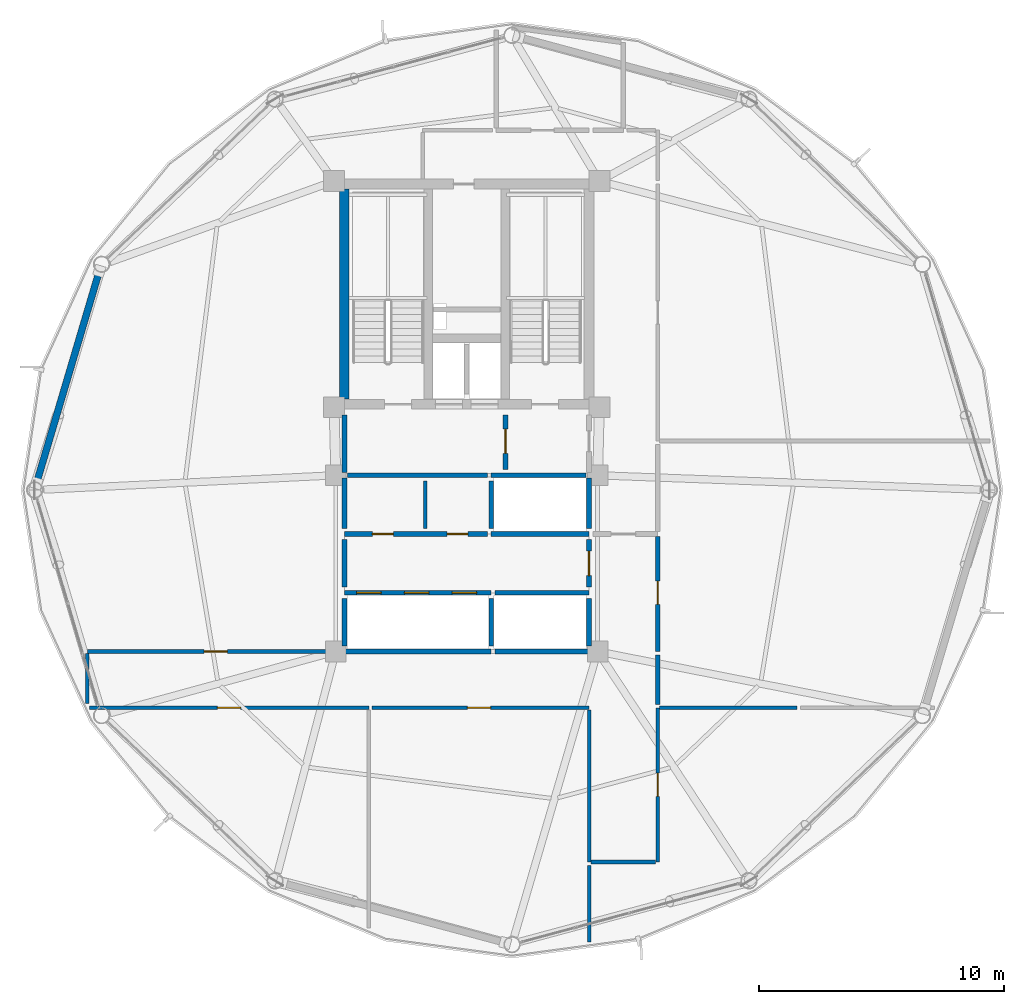
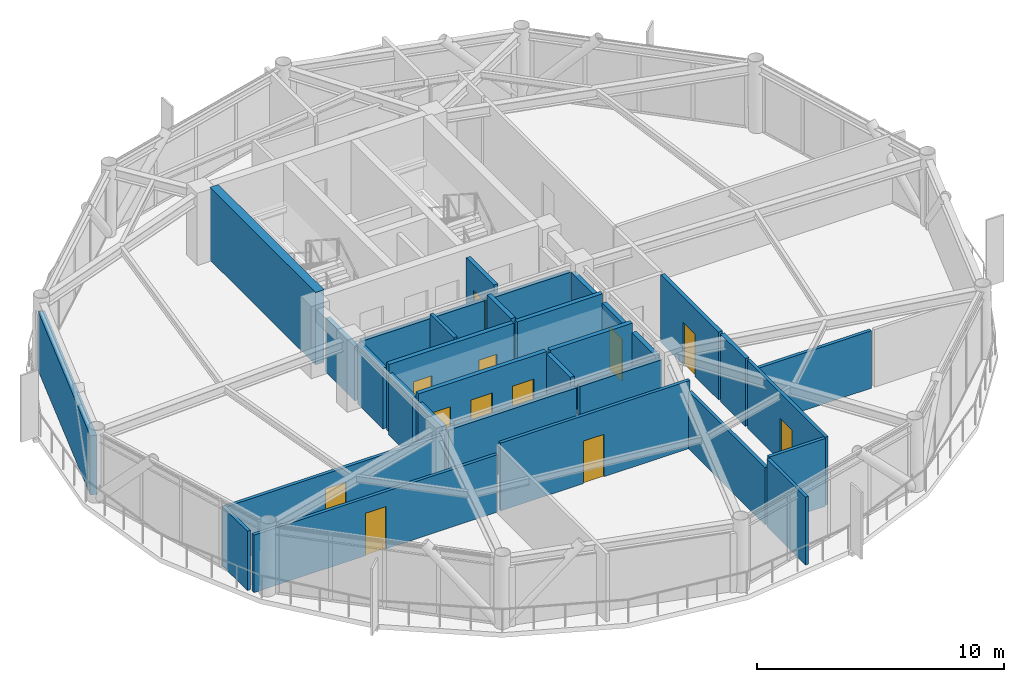
# One storey, part 23 of 28: 32 walls, 12 doors, 12 openings.
"""IFC4 building model written with IfcOpenShell, lengths in metres."""

from ifc_helpers import new_model, si_unit, direction, frame, frame_2d, origin, place, context, subcontext, project, spatial, rectangle, extrude, material, layer, layer_set, type_object, element, fill, save


model = new_model("IFC4")

# Units and contexts
model_context = context("Model", 3, precision=1e-05, world=origin(), true_north=direction((0.0, 1.0)))
body_context = subcontext(model_context, "Body", "Model", "MODEL_VIEW")
ifc_project = project(units=[si_unit("LENGTHUNIT", "METRE"), si_unit("AREAUNIT", "SQUARE_METRE"), si_unit("VOLUMEUNIT", "CUBIC_METRE"), si_unit("PLANEANGLEUNIT", "RADIAN"), si_unit("MASSUNIT", "GRAM", prefix="KILO")], contexts=[model_context])

# Site, building, storey
site_placement = place(None, origin())
site = spatial("IfcSite", under=ifc_project, at=site_placement, CompositionType="ELEMENT")
building_placement = place(site_placement, origin())
building = spatial("IfcBuilding", under=site, at=building_placement, Name="Varnakorn Sky Granary", CompositionType="ELEMENT")
storey_placement = place(building_placement, frame((0.0, 0.0, 193.199951171875)))
storey = spatial("IfcBuildingStorey", under=building, at=storey_placement, Name="L48", CompositionType="ELEMENT", Elevation=193.199951171875)

# Walls
ifc_material_1 = material(Name="Concrete C50/60", Category="concrete")
ifc_layer_1 = layer(ifc_material_1, 0.39990234375, Name="Concrete C50/60")
ifc_layer_set_1 = layer_set([ifc_layer_1], Name="Concrete C50/60")
wall_type_1 = type_object("IfcWallType", Name="WT-CW-SHEAR-400", PredefinedType="SHEAR", material=ifc_layer_set_1)
wall_1_placement = place(storey_placement, frame((-2.0, 3.7099609375, 0.0), z_axis=(0.0, 0.0, 1.0), x_axis=(0.0, 1.0, 0.0)))
element("IfcWall", 1, at=wall_1_placement, inside=storey, type_object=wall_type_1, Name="Core West Shear Wall L48", PredefinedType="SHEAR", context=body_context, shape_type="SweptSolid", body=[
    extrude(rectangle(XDim=8.580078125, YDim=0.39990234375, at=frame_2d((4.2900390625, 0.0))), origin(), (0.0, 0.0, 1.0), 3.592041015625),
])
ifc_material_2 = material(Name="Precast concrete C40/50", Category="concrete")
ifc_layer_2 = layer(ifc_material_2, 0.280029296875, Name="Precast concrete C40/50")
ifc_layer_set_2 = layer_set([ifc_layer_2], Name="Precast concrete C40/50")
wall_type_2 = type_object("IfcWallType", Name="WT-EW-CRN-280", PredefinedType="SOLIDWALL", material=ifc_layer_set_2)
wall_2_placement = place(storey_placement, frame((-14.580078125, 0.273193359375, 0.0), z_axis=(0.0, 0.0, 1.0), x_axis=(0.283912868439, 0.958850083764, 0.0)))
element("IfcWall", 2, at=wall_2_placement, inside=storey, type_object=wall_type_2, Name="Agritech Insulated Precast Facade Wall L48-P06", PredefinedType="SOLIDWALL", context=body_context, shape_type="SweptSolid", body=[
    extrude(rectangle(XDim=9.048828125, YDim=0.280029296875, at=frame_2d((4.5244140625, 0.0))), origin(), (0.0, 0.0, 1.0), 2.929931640625),
])

# Wall, opening, door
ifc_material_3 = material(Name="Autoclaved Aerated Concrete Blockwork", Category="masonry")
ifc_layer_3 = layer(ifc_material_3, 0.199951171875, Name="Autoclaved Aerated Concrete Blockwork")
ifc_layer_set_3 = layer_set([ifc_layer_3], Name="Autoclaved Aerated Concrete Blockwork")
wall_type_3 = type_object("IfcWallType", Name="WT-FIRE-200", PredefinedType="MOVABLE", material=ifc_layer_set_3)
wall_3_placement = place(storey_placement, frame((4.580078125, 0.830078125, 0.0), z_axis=(0.0, 0.0, 1.0), x_axis=(0.0, 1.0, 0.0)))
wall_3 = element("IfcWall", 3, at=wall_3_placement, inside=storey, type_object=wall_type_3, Name="Interior Partition Wall L48-014", PredefinedType="MOVABLE", context=body_context, shape_type="SweptSolid", body=[
    extrude(rectangle(XDim=2.239990234375, YDim=0.199951171875, at=frame_2d((1.1201171875, 0.0))), origin(), (0.0, 0.0, 1.0), 3.360107421875),
])
opening_1_placement = place(wall_3_placement, frame((0.659912109375, 0.0, 0.0)))
opening_1 = element("IfcOpeningElement", 4, at=opening_1_placement, cuts=wall_3, Name="Opening FD-60", PredefinedType="OPENING", context=body_context, shape_type="SweptSolid", body=[
    extrude(rectangle(XDim=1.0, YDim=2.10009765625, at=frame_2d((0.5, 1.050048828125))), frame((0.0, 0.10986328125, 0.0), z_axis=(0.0, -1.0, 0.0), x_axis=(1.0, 0.0, 0.0)), (0.0, 0.0, 1.0), 0.219970703125),
])
ifc_material_4 = material(Name="Acoustic Timber Fire Leaf", Category="wood")
door_type_1 = type_object("IfcDoorType", Name="DR-FD60-1000", OperationType="NOTDEFINED", PredefinedType="DOOR", material=ifc_material_4)
door_1_placement = place(opening_1_placement, origin())
door_1 = element("IfcDoor", 5, at=door_1_placement, inside=storey, type_object=door_type_1, Name="Interior Door L48-014-1", OperationType="SINGLE_SWING_LEFT", OverallHeight=2.10009765625, OverallWidth=1.0, PredefinedType="DOOR", context=body_context, shape_type="SweptSolid", body=[
    extrude(rectangle(XDim=1.0, YDim=2.10009765625, at=frame_2d((0.5, 1.050048828125))), frame((0.0, 0.02490234375, 0.0), z_axis=(0.0, -1.0, 0.0), x_axis=(1.0, 0.0, 0.0)), (0.0, 0.0, 1.0), 0.050048828125),
])
fill(opening_1, door_1)

wall_4_placement = place(storey_placement, frame((8.0, -3.969970703125, 0.0), z_axis=(0.0, 0.0, 1.0), x_axis=(0.0, 1.0, 0.0)))
wall_4 = element("IfcWall", 6, at=wall_4_placement, inside=storey, type_object=wall_type_3, Name="Interior Partition Wall L48-016", PredefinedType="MOVABLE", context=body_context, shape_type="SweptSolid", body=[
    extrude(rectangle(XDim=1.93994140625, YDim=0.199951171875, at=frame_2d((0.969970703125, 0.0))), origin(), (0.0, 0.0, 1.0), 3.011962890625),
])
opening_2_placement = place(wall_4_placement, frame((0.469970703125, 0.0, 0.0)))
opening_2 = element("IfcOpeningElement", 7, at=opening_2_placement, cuts=wall_4, Name="Opening FD-60", PredefinedType="OPENING", context=body_context, shape_type="SweptSolid", body=[
    extrude(rectangle(XDim=1.0, YDim=2.10009765625, at=frame_2d((0.5, 1.050048828125))), frame((0.0, 0.10986328125, 0.0), z_axis=(0.0, -1.0, 0.0), x_axis=(1.0, 0.0, 0.0)), (0.0, 0.0, 1.0), 0.219970703125),
])
door_2_placement = place(opening_2_placement, origin())
door_2 = element("IfcDoor", 8, at=door_2_placement, inside=storey, type_object=door_type_1, Name="Interior Door L48-016-1", OperationType="SINGLE_SWING_LEFT", OverallHeight=2.10009765625, OverallWidth=1.0, PredefinedType="DOOR", context=body_context, shape_type="SweptSolid", body=[
    extrude(rectangle(XDim=1.0, YDim=2.10009765625, at=frame_2d((0.5, 1.050048828125))), frame((0.0, 0.02490234375, 0.0), z_axis=(0.0, -1.0, 0.0), x_axis=(1.0, 0.0, 0.0)), (0.0, 0.0, 1.0), 0.050048828125),
])
fill(opening_2, door_2)

# Wall, openings, doors
wall_5_placement = place(storey_placement, frame((-2.0, -1.800048828125, 0.0), z_axis=(0.0, 0.0, 1.0), x_axis=(1.0, 0.0, 0.0)))
wall_5 = element("IfcWall", 9, at=wall_5_placement, inside=storey, type_object=wall_type_3, Name="Interior Partition Wall L48-017", PredefinedType="MOVABLE", context=body_context, shape_type="SweptSolid", body=[
    extrude(rectangle(XDim=5.840087890625, YDim=0.199951171875, at=frame_2d((2.919921875, 0.0))), origin(), (0.0, 0.0, 1.0), 3.360107421875),
])
opening_3_placement = place(wall_5_placement, frame((1.14990234375, 0.0, 0.0)))
opening_3 = element("IfcOpeningElement", 10, at=opening_3_placement, cuts=wall_5, Name="Opening FD-60N", PredefinedType="OPENING", context=body_context, shape_type="SweptSolid", body=[
    extrude(rectangle(XDim=0.85009765625, YDim=2.10009765625, at=frame_2d((0.425048828125, 1.050048828125))), frame((0.0, 0.10986328125, 0.0), z_axis=(0.0, -1.0, 0.0), x_axis=(1.0, 0.0, 0.0)), (0.0, 0.0, 1.0), 0.219970703125),
])
opening_4_placement = place(wall_5_placement, frame((4.199951171875, 0.0, 0.0)))
opening_4 = element("IfcOpeningElement", 11, at=opening_4_placement, cuts=wall_5, Name="Opening FD-60N", PredefinedType="OPENING", context=body_context, shape_type="SweptSolid", body=[
    extrude(rectangle(XDim=0.85009765625, YDim=2.10009765625, at=frame_2d((0.425048828125, 1.050048828125))), frame((0.0, 0.10986328125, 0.0), z_axis=(0.0, -1.0, 0.0), x_axis=(1.0, 0.0, 0.0)), (0.0, 0.0, 1.0), 0.219970703125),
])
door_type_2 = type_object("IfcDoorType", Name="DR-FD60-850", OperationType="NOTDEFINED", PredefinedType="DOOR", material=ifc_material_4)
door_3_placement = place(opening_3_placement, origin())
door_3 = element("IfcDoor", 12, at=door_3_placement, inside=storey, type_object=door_type_2, Name="Interior Door L48-017-1", OperationType="SINGLE_SWING_RIGHT", OverallHeight=2.10009765625, OverallWidth=0.85009765625, PredefinedType="DOOR", context=body_context, shape_type="SweptSolid", body=[
    extrude(rectangle(XDim=0.85009765625, YDim=2.10009765625, at=frame_2d((0.425048828125, 1.050048828125))), frame((0.0, 0.02490234375, 0.0), z_axis=(0.0, -1.0, 0.0), x_axis=(1.0, 0.0, 0.0)), (0.0, 0.0, 1.0), 0.050048828125),
])
fill(opening_3, door_3)
door_4_placement = place(opening_4_placement, origin())
door_4 = element("IfcDoor", 13, at=door_4_placement, inside=storey, type_object=door_type_2, Name="Interior Door L48-017-2", OperationType="SINGLE_SWING_LEFT", OverallHeight=2.10009765625, OverallWidth=0.85009765625, PredefinedType="DOOR", context=body_context, shape_type="SweptSolid", body=[
    extrude(rectangle(XDim=0.85009765625, YDim=2.10009765625, at=frame_2d((0.425048828125, 1.050048828125))), frame((0.0, 0.02490234375, 0.0), z_axis=(0.0, -1.0, 0.0), x_axis=(1.0, 0.0, 0.0)), (0.0, 0.0, 1.0), 0.050048828125),
])
fill(opening_4, door_4)

# Walls
wall_6_placement = place(storey_placement, frame((-1.8798828125, 0.60009765625, 0.0), z_axis=(0.0, 0.0, 1.0), x_axis=(1.0, 0.0, 0.0)))
element("IfcWall", 14, at=wall_6_placement, inside=storey, type_object=wall_type_3, Name="Interior Partition Wall L48-026", PredefinedType="MOVABLE", context=body_context, shape_type="SweptSolid", body=[
    extrude(rectangle(XDim=5.719970703125, YDim=0.199951171875, at=frame_2d((2.85986328125, 0.0))), origin(), (0.0, 0.0, 1.0), 3.011962890625),
])
wall_7_placement = place(storey_placement, frame((-2.0, 0.719970703125, 0.0), z_axis=(0.0, 0.0, 1.0), x_axis=(0.0, 1.0, 0.0)))
element("IfcWall", 15, at=wall_7_placement, inside=storey, type_object=wall_type_3, Name="Interior Partition Wall L48-027", PredefinedType="MOVABLE", context=body_context, shape_type="SweptSolid", body=[
    extrude(rectangle(XDim=2.35009765625, YDim=0.199951171875, at=frame_2d((1.175048828125, 0.0))), origin(), (0.0, 0.0, 1.0), 2.692138671875),
])
wall_8_placement = place(storey_placement, frame((-2.0, -3.969970703125, 0.0), z_axis=(0.0, 0.0, 1.0), x_axis=(0.0, 1.0, 0.0)))
element("IfcWall", 16, at=wall_8_placement, inside=storey, type_object=wall_type_3, Name="Interior Partition Wall L48-028", PredefinedType="MOVABLE", context=body_context, shape_type="SweptSolid", body=[
    extrude(rectangle(XDim=1.93994140625, YDim=0.199951171875, at=frame_2d((0.969970703125, 0.0))), origin(), (0.0, 0.0, 1.0), 3.011962890625),
])
wall_9_placement = place(storey_placement, frame((-2.0, -1.570068359375, 0.0), z_axis=(0.0, 0.0, 1.0), x_axis=(0.0, 1.0, 0.0)))
element("IfcWall", 17, at=wall_9_placement, inside=storey, type_object=wall_type_3, Name="Interior Partition Wall L48-030", PredefinedType="MOVABLE", context=body_context, shape_type="SweptSolid", body=[
    extrude(rectangle(XDim=2.050048828125, YDim=0.199951171875, at=frame_2d((1.02490234375, 0.0))), origin(), (0.0, 0.0, 1.0), 3.011962890625),
])

# Wall, opening, door
ifc_material_5 = material(Name="Gypsum Plasterboard on Steel Stud", Category="steel")
ifc_layer_4 = layer(ifc_material_5, 0.14990234375, Name="Gypsum Plasterboard on Steel Stud")
ifc_layer_set_4 = layer_set([ifc_layer_4], Name="Gypsum Plasterboard on Steel Stud")
wall_type_4 = type_object("IfcWallType", Name="WT-PART-150", PredefinedType="PARTITIONING", material=ifc_layer_set_4)
wall_10_placement = place(storey_placement, frame((-12.4169921875, -8.89990234375, 0.0), z_axis=(0.0, 0.0, 1.0), x_axis=(1.0, 0.0, 0.0)))
wall_10 = element("IfcWall", 18, at=wall_10_placement, inside=storey, type_object=wall_type_4, Name="Interior Partition Wall L48-020", PredefinedType="PARTITIONING", context=body_context, shape_type="SweptSolid", body=[
    extrude(rectangle(XDim=11.4169921875, YDim=0.14990234375, at=frame_2d((5.70849609375, 0.0))), origin(), (0.0, 0.0, 1.0), 2.842041015625),
])
opening_5_placement = place(wall_10_placement, frame((5.23291015625, 0.0, 0.0)))
opening_5 = element("IfcOpeningElement", 19, at=opening_5_placement, cuts=wall_10, Name="Opening ID-95", PredefinedType="OPENING", context=body_context, shape_type="SweptSolid", body=[
    extrude(rectangle(XDim=0.949951171875, YDim=2.10009765625, at=frame_2d((0.47509765625, 1.050048828125))), frame((0.0, 0.0849609375, 0.0), z_axis=(0.0, -1.0, 0.0), x_axis=(1.0, 0.0, 0.0)), (0.0, 0.0, 1.0), 0.169921875),
])
ifc_material_6 = material(Name="Solid-Core Teak Veneer Leaf", Category="timber")
door_type_3 = type_object("IfcDoorType", Name="DR-INT-950", OperationType="NOTDEFINED", PredefinedType="DOOR", material=ifc_material_6)
door_5_placement = place(opening_5_placement, origin())
door_5 = element("IfcDoor", 20, at=door_5_placement, inside=storey, type_object=door_type_3, Name="Interior Door L48-020-1", OperationType="SINGLE_SWING_RIGHT", OverallHeight=2.10009765625, OverallWidth=0.949951171875, PredefinedType="DOOR", context=body_context, shape_type="SweptSolid", body=[
    extrude(rectangle(XDim=0.949951171875, YDim=2.10009765625, at=frame_2d((0.47509765625, 1.050048828125))), frame((0.0, 0.02490234375, 0.0), z_axis=(0.0, -1.0, 0.0), x_axis=(1.0, 0.0, 0.0)), (0.0, 0.0, 1.0), 0.050048828125),
])
fill(opening_5, door_5)

wall_11_placement = place(storey_placement, frame((-0.864990234375, -8.89990234375, 0.0), z_axis=(0.0, 0.0, 1.0), x_axis=(1.0, 0.0, 0.0)))
wall_11 = element("IfcWall", 21, at=wall_11_placement, inside=storey, type_object=wall_type_4, Name="Interior Partition Wall L48-021", PredefinedType="PARTITIONING", context=body_context, shape_type="SweptSolid", body=[
    extrude(rectangle(XDim=8.864990234375, YDim=0.14990234375, at=frame_2d((4.4326171875, 0.0))), origin(), (0.0, 0.0, 1.0), 3.360107421875),
])
opening_6_placement = place(wall_11_placement, frame((3.889892578125, 0.0, 0.0)))
opening_6 = element("IfcOpeningElement", 22, at=opening_6_placement, cuts=wall_11, Name="Opening ID-95", PredefinedType="OPENING", context=body_context, shape_type="SweptSolid", body=[
    extrude(rectangle(XDim=0.949951171875, YDim=2.10009765625, at=frame_2d((0.47509765625, 1.050048828125))), frame((0.0, 0.0849609375, 0.0), z_axis=(0.0, -1.0, 0.0), x_axis=(1.0, 0.0, 0.0)), (0.0, 0.0, 1.0), 0.169921875),
])
door_6_placement = place(opening_6_placement, origin())
door_6 = element("IfcDoor", 23, at=door_6_placement, inside=storey, type_object=door_type_3, Name="Interior Door L48-021-1", OperationType="SINGLE_SWING_LEFT", OverallHeight=2.10009765625, OverallWidth=0.949951171875, PredefinedType="DOOR", context=body_context, shape_type="SweptSolid", body=[
    extrude(rectangle(XDim=0.949951171875, YDim=2.10009765625, at=frame_2d((0.47509765625, 1.050048828125))), frame((0.0, 0.02490234375, 0.0), z_axis=(0.0, -1.0, 0.0), x_axis=(1.0, 0.0, 0.0)), (0.0, 0.0, 1.0), 0.050048828125),
])
fill(opening_6, door_6)

wall_12_placement = place(storey_placement, frame((10.800048828125, -15.199951171875, 0.0), z_axis=(0.0, 0.0, 1.0), x_axis=(0.0, 1.0, 0.0)))
wall_12 = element("IfcWall", 24, at=wall_12_placement, inside=storey, type_object=wall_type_4, Name="Interior Partition Wall L48-022", PredefinedType="PARTITIONING", context=body_context, shape_type="SweptSolid", body=[
    extrude(rectangle(XDim=6.300048828125, YDim=0.14990234375, at=frame_2d((3.14990234375, 0.0))), origin(), (0.0, 0.0, 1.0), 3.360107421875),
])
opening_7_placement = place(wall_12_placement, frame((2.675048828125, 0.0, 0.0)))
opening_7 = element("IfcOpeningElement", 25, at=opening_7_placement, cuts=wall_12, Name="Opening ID-95", PredefinedType="OPENING", context=body_context, shape_type="SweptSolid", body=[
    extrude(rectangle(XDim=0.949951171875, YDim=2.10009765625, at=frame_2d((0.47509765625, 1.050048828125))), frame((0.0, 0.0849609375, 0.0), z_axis=(0.0, -1.0, 0.0), x_axis=(1.0, 0.0, 0.0)), (0.0, 0.0, 1.0), 0.169921875),
])
door_7_placement = place(opening_7_placement, origin())
door_7 = element("IfcDoor", 26, at=door_7_placement, inside=storey, type_object=door_type_3, Name="Interior Door L48-022-1", OperationType="SINGLE_SWING_RIGHT", OverallHeight=2.10009765625, OverallWidth=0.949951171875, PredefinedType="DOOR", context=body_context, shape_type="SweptSolid", body=[
    extrude(rectangle(XDim=0.949951171875, YDim=2.10009765625, at=frame_2d((0.47509765625, 1.050048828125))), frame((0.0, 0.02490234375, 0.0), z_axis=(0.0, -1.0, 0.0), x_axis=(1.0, 0.0, 0.0)), (0.0, 0.0, 1.0), 0.050048828125),
])
fill(opening_7, door_7)

wall_13_placement = place(storey_placement, frame((-2.159912109375, -6.60009765625, 0.0), z_axis=(0.0, 0.0, 1.0), x_axis=(-1.0, 0.0, 0.0)))
wall_13 = element("IfcWall", 27, at=wall_13_placement, inside=storey, type_object=wall_type_4, Name="Interior Partition Wall L48-023", PredefinedType="PARTITIONING", context=body_context, shape_type="SweptSolid", body=[
    extrude(rectangle(XDim=10.340087890625, YDim=0.14990234375, at=frame_2d((5.169921875, 0.0))), origin(), (0.0, 0.0, 1.0), 2.842041015625),
])
opening_8_placement = place(wall_13_placement, frame((4.614990234375, 0.0, 0.0)))
opening_8 = element("IfcOpeningElement", 28, at=opening_8_placement, cuts=wall_13, Name="Opening ID-95", PredefinedType="OPENING", context=body_context, shape_type="SweptSolid", body=[
    extrude(rectangle(XDim=0.949951171875, YDim=2.10009765625, at=frame_2d((0.47509765625, 1.050048828125))), frame((0.0, 0.0849609375, 0.0), z_axis=(0.0, -1.0, 0.0), x_axis=(1.0, 0.0, 0.0)), (0.0, 0.0, 1.0), 0.169921875),
])
door_8_placement = place(opening_8_placement, origin())
door_8 = element("IfcDoor", 29, at=door_8_placement, inside=storey, type_object=door_type_3, Name="Interior Door L48-023-1", OperationType="SINGLE_SWING_LEFT", OverallHeight=2.10009765625, OverallWidth=0.949951171875, PredefinedType="DOOR", context=body_context, shape_type="SweptSolid", body=[
    extrude(rectangle(XDim=0.949951171875, YDim=2.10009765625, at=frame_2d((0.47509765625, 1.050048828125))), frame((0.0, 0.02490234375, 0.0), z_axis=(0.0, -1.0, 0.0), x_axis=(1.0, 0.0, 0.0)), (0.0, 0.0, 1.0), 0.050048828125),
])
fill(opening_8, door_8)

# Walls
wall_14_placement = place(storey_placement, frame((1.300048828125, -1.570068359375, 0.0), z_axis=(0.0, 0.0, 1.0), x_axis=(0.0, 1.0, 0.0)))
element("IfcWall", 30, at=wall_14_placement, inside=storey, type_object=wall_type_4, Name="Interior Partition Wall L48-029", PredefinedType="PARTITIONING", context=body_context, shape_type="SweptSolid", body=[
    extrude(rectangle(XDim=1.940185546875, YDim=0.14990234375, at=frame_2d((0.97021484375, 0.0))), origin(), (0.0, 0.0, 1.0), 3.360107421875),
])
wall_15_placement = place(storey_placement, frame((8.0, -8.985107421875, 0.0), z_axis=(0.0, 0.0, 1.0), x_axis=(0.0, -1.0, 0.0)))
element("IfcWall", 31, at=wall_15_placement, inside=storey, type_object=wall_type_4, Name="Interior Partition Wall L48-033", PredefinedType="PARTITIONING", context=body_context, shape_type="SweptSolid", body=[
    extrude(rectangle(XDim=6.21484375, YDim=0.14990234375, at=frame_2d((3.107421875, 0.0))), origin(), (0.0, 0.0, 1.0), 2.842041015625),
])
wall_16_placement = place(storey_placement, frame((8.0, -15.3349609375, 0.0), z_axis=(0.0, 0.0, 1.0), x_axis=(0.0, -1.0, 0.0)))
element("IfcWall", 32, at=wall_16_placement, inside=storey, type_object=wall_type_4, Name="Interior Partition Wall L48-034", PredefinedType="PARTITIONING", context=body_context, shape_type="SweptSolid", body=[
    extrude(rectangle(XDim=3.133056640625, YDim=0.14990234375, at=frame_2d((1.56640625, 0.0))), origin(), (0.0, 0.0, 1.0), 3.360107421875),
])
wall_17_placement = place(storey_placement, frame((8.0849609375, -15.199951171875, 0.0), z_axis=(0.0, 0.0, 1.0), x_axis=(1.0, 0.0, 0.0)))
element("IfcWall", 33, at=wall_17_placement, inside=storey, type_object=wall_type_4, Name="Interior Partition Wall L48-035", PredefinedType="PARTITIONING", context=body_context, shape_type="SweptSolid", body=[
    extrude(rectangle(XDim=2.630126953125, YDim=0.14990234375, at=frame_2d((1.31494140625, 0.0))), origin(), (0.0, 0.0, 1.0), 3.360107421875),
])
wall_18_placement = place(storey_placement, frame((10.885009765625, -8.89990234375, 0.0), z_axis=(0.0, 0.0, 1.0), x_axis=(1.0, 0.0, 0.0)))
element("IfcWall", 34, at=wall_18_placement, inside=storey, type_object=wall_type_4, Name="Interior Partition Wall L48-036", PredefinedType="PARTITIONING", context=body_context, shape_type="SweptSolid", body=[
    extrude(rectangle(XDim=5.614990234375, YDim=0.14990234375, at=frame_2d((2.8076171875, 0.0))), origin(), (0.0, 0.0, 1.0), 2.842041015625),
])
wall_19_placement = place(storey_placement, frame((-12.5, -6.68505859375, 0.0), z_axis=(0.0, 0.0, 1.0), x_axis=(0.0, -1.0, 0.0)))
element("IfcWall", 35, at=wall_19_placement, inside=storey, type_object=wall_type_4, Name="Interior Partition Wall L48-038", PredefinedType="PARTITIONING", context=body_context, shape_type="SweptSolid", body=[
    extrude(rectangle(XDim=2.031982421875, YDim=0.14990234375, at=frame_2d((1.01611328125, 0.0))), origin(), (0.0, 0.0, 1.0), 2.942138671875),
])

# Wall, opening, door
ifc_material_7 = material(Name="Moisture-Resistant Gypsum on Stud", Category="gypsum")
ifc_layer_5 = layer(ifc_material_7, 0.179931640625, Name="Moisture-Resistant Gypsum on Stud")
ifc_layer_set_5 = layer_set([ifc_layer_5], Name="Moisture-Resistant Gypsum on Stud")
wall_type_5 = type_object("IfcWallType", Name="WT-PLUMB-180", PredefinedType="PLUMBINGWALL", material=ifc_layer_set_5)
wall_20_placement = place(storey_placement, frame((10.800048828125, -6.60009765625, 0.0), z_axis=(0.0, 0.0, 1.0), x_axis=(0.0, 1.0, 0.0)))
wall_20 = element("IfcWall", 36, at=wall_20_placement, inside=storey, type_object=wall_type_5, Name="Interior Partition Wall L48-024", PredefinedType="PLUMBINGWALL", context=body_context, shape_type="SweptSolid", body=[
    extrude(rectangle(XDim=4.690185546875, YDim=0.179931640625, at=frame_2d((2.34521484375, 0.0))), origin(), (0.0, 0.0, 1.0), 3.360107421875),
])
opening_9_placement = place(wall_20_placement, frame((1.925048828125, 0.0, 0.0)))
opening_9 = element("IfcOpeningElement", 37, at=opening_9_placement, cuts=wall_20, Name="Opening ID-95", PredefinedType="OPENING", context=body_context, shape_type="SweptSolid", body=[
    extrude(rectangle(XDim=0.949951171875, YDim=2.10009765625, at=frame_2d((0.47509765625, 1.050048828125))), frame((0.0, 0.10009765625, 0.0), z_axis=(0.0, -1.0, 0.0), x_axis=(1.0, 0.0, 0.0)), (0.0, 0.0, 1.0), 0.199951171875),
])
door_9_placement = place(opening_9_placement, origin())
door_9 = element("IfcDoor", 38, at=door_9_placement, inside=storey, type_object=door_type_3, Name="Interior Door L48-024-1", OperationType="SINGLE_SWING_RIGHT", OverallHeight=2.10009765625, OverallWidth=0.949951171875, PredefinedType="DOOR", context=body_context, shape_type="SweptSolid", body=[
    extrude(rectangle(XDim=0.949951171875, YDim=2.10009765625, at=frame_2d((0.47509765625, 1.050048828125))), frame((0.0, 0.02490234375, 0.0), z_axis=(0.0, -1.0, 0.0), x_axis=(1.0, 0.0, 0.0)), (0.0, 0.0, 1.0), 0.050048828125),
])
fill(opening_9, door_9)

# Walls
wall_21_placement = place(storey_placement, frame((10.800048828125, -8.764892578125, 0.0), z_axis=(0.0, 0.0, 1.0), x_axis=(0.0, 1.0, 0.0)))
element("IfcWall", 39, at=wall_21_placement, inside=storey, type_object=wall_type_5, Name="Interior Partition Wall L48-042", PredefinedType="PLUMBINGWALL", context=body_context, shape_type="SweptSolid", body=[
    extrude(rectangle(XDim=2.014892578125, YDim=0.179931640625, at=frame_2d((1.00732421875, 0.0))), origin(), (0.0, 0.0, 1.0), 3.360107421875),
])
ifc_layer_6 = layer(ifc_material_3, 0.199951171875, Name="Autoclaved Aerated Concrete Blockwork")
ifc_layer_set_6 = layer_set([ifc_layer_6], Name="Autoclaved Aerated Concrete Blockwork")
wall_type_6 = type_object("IfcWallType", Name="WT-SHAFT-200", PredefinedType="SOLIDWALL", material=ifc_layer_set_6)
wall_22_placement = place(storey_placement, frame((4.0, 0.60009765625, 0.0), z_axis=(0.0, 0.0, 1.0), x_axis=(1.0, 0.0, 0.0)))
element("IfcWall", 40, at=wall_22_placement, inside=storey, type_object=wall_type_6, Name="Interior Partition Wall L48-003", PredefinedType="SOLIDWALL", context=body_context, shape_type="SweptSolid", body=[
    extrude(rectangle(XDim=3.8798828125, YDim=0.199951171875, at=frame_2d((1.93994140625, 0.0))), origin(), (0.0, 0.0, 1.0), 3.011962890625),
])
wall_23_placement = place(storey_placement, frame((4.0, -1.800048828125, 0.0), z_axis=(0.0, 0.0, 1.0), x_axis=(1.0, 0.0, 0.0)))
element("IfcWall", 41, at=wall_23_placement, inside=storey, type_object=wall_type_6, Name="Interior Partition Wall L48-004", PredefinedType="SOLIDWALL", context=body_context, shape_type="SweptSolid", body=[
    extrude(rectangle(XDim=4.0, YDim=0.199951171875, at=frame_2d((2.0, 0.0))), origin(), (0.0, 0.0, 1.0), 3.360107421875),
])
wall_24_placement = place(storey_placement, frame((4.0, -1.570068359375, 0.0), z_axis=(0.0, 0.0, 1.0), x_axis=(0.0, 1.0, 0.0)))
element("IfcWall", 42, at=wall_24_placement, inside=storey, type_object=wall_type_6, Name="Interior Partition Wall L48-005", PredefinedType="SOLIDWALL", context=body_context, shape_type="SweptSolid", body=[
    extrude(rectangle(XDim=1.940185546875, YDim=0.199951171875, at=frame_2d((0.97021484375, 0.0))), origin(), (0.0, 0.0, 1.0), 3.360107421875),
])
wall_25_placement = place(storey_placement, frame((8.0, -1.570068359375, 0.0), z_axis=(0.0, 0.0, 1.0), x_axis=(0.0, 1.0, 0.0)))
element("IfcWall", 43, at=wall_25_placement, inside=storey, type_object=wall_type_6, Name="Interior Partition Wall L48-006", PredefinedType="SOLIDWALL", context=body_context, shape_type="SweptSolid", body=[
    extrude(rectangle(XDim=2.050048828125, YDim=0.199951171875, at=frame_2d((1.02490234375, 0.0))), origin(), (0.0, 0.0, 1.0), 3.011962890625),
])

# Wall, openings, doors
wall_26_placement = place(storey_placement, frame((-2.0, -4.199951171875, 0.0), z_axis=(0.0, 0.0, 1.0), x_axis=(1.0, 0.0, 0.0)))
wall_26 = element("IfcWall", 44, at=wall_26_placement, inside=storey, type_object=wall_type_6, Name="Interior Partition Wall L48-007", PredefinedType="SOLIDWALL", context=body_context, shape_type="SweptSolid", body=[
    extrude(rectangle(XDim=6.0, YDim=0.199951171875, at=frame_2d((3.0, 0.0))), origin(), (0.0, 0.0, 1.0), 3.360107421875),
])
opening_10_placement = place(wall_26_placement, frame((0.5, 0.0, 0.0)))
opening_10 = element("IfcOpeningElement", 45, at=opening_10_placement, cuts=wall_26, Name="Opening LD-03", PredefinedType="OPENING", context=body_context, shape_type="SweptSolid", body=[
    extrude(rectangle(XDim=1.0, YDim=2.199951171875, at=frame_2d((0.5, 1.10009765625))), frame((0.0, 0.10986328125, 0.0), z_axis=(0.0, -1.0, 0.0), x_axis=(1.0, 0.0, 0.0)), (0.0, 0.0, 1.0), 0.219970703125),
])
opening_11_placement = place(wall_26_placement, frame((2.449951171875, 0.0, 0.0)))
opening_11 = element("IfcOpeningElement", 46, at=opening_11_placement, cuts=wall_26, Name="Opening LD-03", PredefinedType="OPENING", context=body_context, shape_type="SweptSolid", body=[
    extrude(rectangle(XDim=1.0, YDim=2.199951171875, at=frame_2d((0.5, 1.10009765625))), frame((0.0, 0.10986328125, 0.0), z_axis=(0.0, -1.0, 0.0), x_axis=(1.0, 0.0, 0.0)), (0.0, 0.0, 1.0), 0.219970703125),
])
opening_12_placement = place(wall_26_placement, frame((4.39990234375, 0.0, 0.0)))
opening_12 = element("IfcOpeningElement", 47, at=opening_12_placement, cuts=wall_26, Name="Opening LD-03", PredefinedType="OPENING", context=body_context, shape_type="SweptSolid", body=[
    extrude(rectangle(XDim=1.0, YDim=2.199951171875, at=frame_2d((0.5, 1.10009765625))), frame((0.0, 0.10986328125, 0.0), z_axis=(0.0, -1.0, 0.0), x_axis=(1.0, 0.0, 0.0)), (0.0, 0.0, 1.0), 0.219970703125),
])
ifc_material_8 = material(Name="Brushed Bronze Stainless Steel", Category="steel")
door_type_4 = type_object("IfcDoorType", Name="DR-LD-1000", OperationType="DOUBLE_DOOR_SLIDING", PredefinedType="DOOR", material=ifc_material_8)
door_10_placement = place(opening_10_placement, origin())
door_10 = element("IfcDoor", 48, at=door_10_placement, inside=storey, type_object=door_type_4, Name="Passenger Lift PL-M1 Sliding Landing Door L48", OperationType="DOUBLE_DOOR_SLIDING", OverallHeight=2.199951171875, OverallWidth=1.0, PredefinedType="DOOR", context=body_context, shape_type="SweptSolid", body=[
    extrude(rectangle(XDim=1.0, YDim=2.199951171875, at=frame_2d((0.5, 1.10009765625))), frame((0.0, 0.02490234375, 0.0), z_axis=(0.0, -1.0, 0.0), x_axis=(1.0, 0.0, 0.0)), (0.0, 0.0, 1.0), 0.050048828125),
])
fill(opening_10, door_10)
door_11_placement = place(opening_11_placement, origin())
door_11 = element("IfcDoor", 49, at=door_11_placement, inside=storey, type_object=door_type_4, Name="Passenger Lift PL-M2 Sliding Landing Door L48", OperationType="DOUBLE_DOOR_SLIDING", OverallHeight=2.199951171875, OverallWidth=1.0, PredefinedType="DOOR", context=body_context, shape_type="SweptSolid", body=[
    extrude(rectangle(XDim=1.0, YDim=2.199951171875, at=frame_2d((0.5, 1.10009765625))), frame((0.0, 0.02490234375, 0.0), z_axis=(0.0, -1.0, 0.0), x_axis=(1.0, 0.0, 0.0)), (0.0, 0.0, 1.0), 0.050048828125),
])
fill(opening_11, door_11)
door_12_placement = place(opening_12_placement, origin())
door_12 = element("IfcDoor", 50, at=door_12_placement, inside=storey, type_object=door_type_4, Name="Passenger Lift PL-M3 Sliding Landing Door L48", OperationType="DOUBLE_DOOR_SLIDING", OverallHeight=2.199951171875, OverallWidth=1.0, PredefinedType="DOOR", context=body_context, shape_type="SweptSolid", body=[
    extrude(rectangle(XDim=1.0, YDim=2.199951171875, at=frame_2d((0.5, 1.10009765625))), frame((0.0, 0.02490234375, 0.0), z_axis=(0.0, -1.0, 0.0), x_axis=(1.0, 0.0, 0.0)), (0.0, 0.0, 1.0), 0.050048828125),
])
fill(opening_12, door_12)

# Walls
wall_27_placement = place(storey_placement, frame((-2.0, -6.60009765625, 0.0), z_axis=(0.0, 0.0, 1.0), x_axis=(1.0, 0.0, 0.0)))
element("IfcWall", 51, at=wall_27_placement, inside=storey, type_object=wall_type_6, Name="Interior Partition Wall L48-008", PredefinedType="SOLIDWALL", context=body_context, shape_type="SweptSolid", body=[
    extrude(rectangle(XDim=6.0, YDim=0.199951171875, at=frame_2d((3.0, 0.0))), origin(), (0.0, 0.0, 1.0), 3.011962890625),
])
wall_28_placement = place(storey_placement, frame((-2.0, -6.3701171875, 0.0), z_axis=(0.0, 0.0, 1.0), x_axis=(0.0, 1.0, 0.0)))
element("IfcWall", 52, at=wall_28_placement, inside=storey, type_object=wall_type_6, Name="Interior Partition Wall L48-009", PredefinedType="SOLIDWALL", context=body_context, shape_type="SweptSolid", body=[
    extrude(rectangle(XDim=1.940185546875, YDim=0.199951171875, at=frame_2d((0.97021484375, 0.0))), origin(), (0.0, 0.0, 1.0), 3.011962890625),
])
wall_29_placement = place(storey_placement, frame((4.159912109375, -4.199951171875, 0.0), z_axis=(0.0, 0.0, 1.0), x_axis=(1.0, 0.0, 0.0)))
element("IfcWall", 53, at=wall_29_placement, inside=storey, type_object=wall_type_6, Name="Interior Partition Wall L48-010", PredefinedType="SOLIDWALL", context=body_context, shape_type="SweptSolid", body=[
    extrude(rectangle(XDim=3.840087890625, YDim=0.199951171875, at=frame_2d((1.919921875, 0.0))), origin(), (0.0, 0.0, 1.0), 3.360107421875),
])
wall_30_placement = place(storey_placement, frame((4.159912109375, -6.60009765625, 0.0), z_axis=(0.0, 0.0, 1.0), x_axis=(1.0, 0.0, 0.0)))
element("IfcWall", 54, at=wall_30_placement, inside=storey, type_object=wall_type_6, Name="Interior Partition Wall L48-011", PredefinedType="SOLIDWALL", context=body_context, shape_type="SweptSolid", body=[
    extrude(rectangle(XDim=3.840087890625, YDim=0.199951171875, at=frame_2d((1.919921875, 0.0))), origin(), (0.0, 0.0, 1.0), 3.011962890625),
])
wall_31_placement = place(storey_placement, frame((4.0, -6.3701171875, 0.0), z_axis=(0.0, 0.0, 1.0), x_axis=(0.0, 1.0, 0.0)))
element("IfcWall", 55, at=wall_31_placement, inside=storey, type_object=wall_type_6, Name="Interior Partition Wall L48-012", PredefinedType="SOLIDWALL", context=body_context, shape_type="SweptSolid", body=[
    extrude(rectangle(XDim=1.940185546875, YDim=0.199951171875, at=frame_2d((0.97021484375, 0.0))), origin(), (0.0, 0.0, 1.0), 3.360107421875),
])
wall_32_placement = place(storey_placement, frame((8.0, -6.3701171875, 0.0), z_axis=(0.0, 0.0, 1.0), x_axis=(0.0, 1.0, 0.0)))
element("IfcWall", 56, at=wall_32_placement, inside=storey, type_object=wall_type_6, Name="Interior Partition Wall L48-013", PredefinedType="SOLIDWALL", context=body_context, shape_type="SweptSolid", body=[
    extrude(rectangle(XDim=1.940185546875, YDim=0.199951171875, at=frame_2d((0.97021484375, 0.0))), origin(), (0.0, 0.0, 1.0), 3.011962890625),
])

save(model, "model.ifc")
